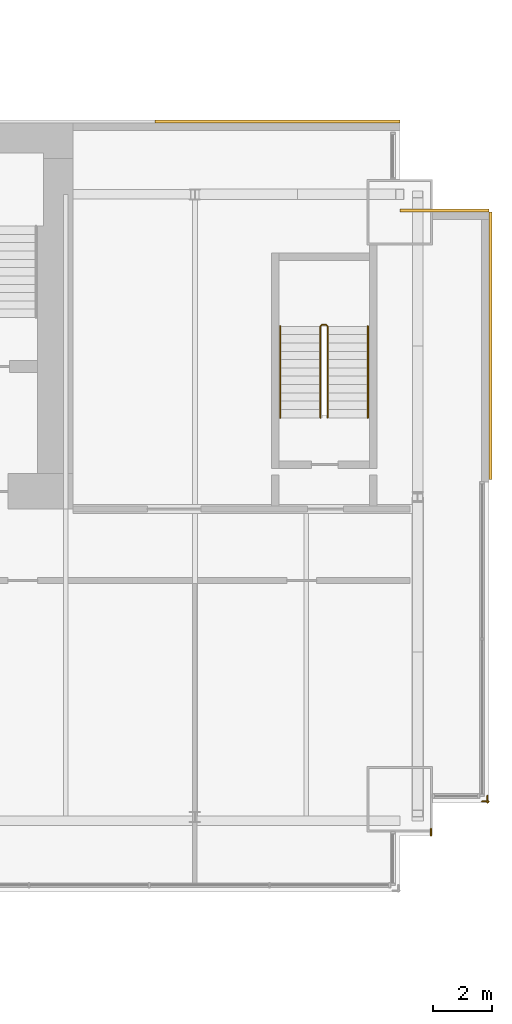
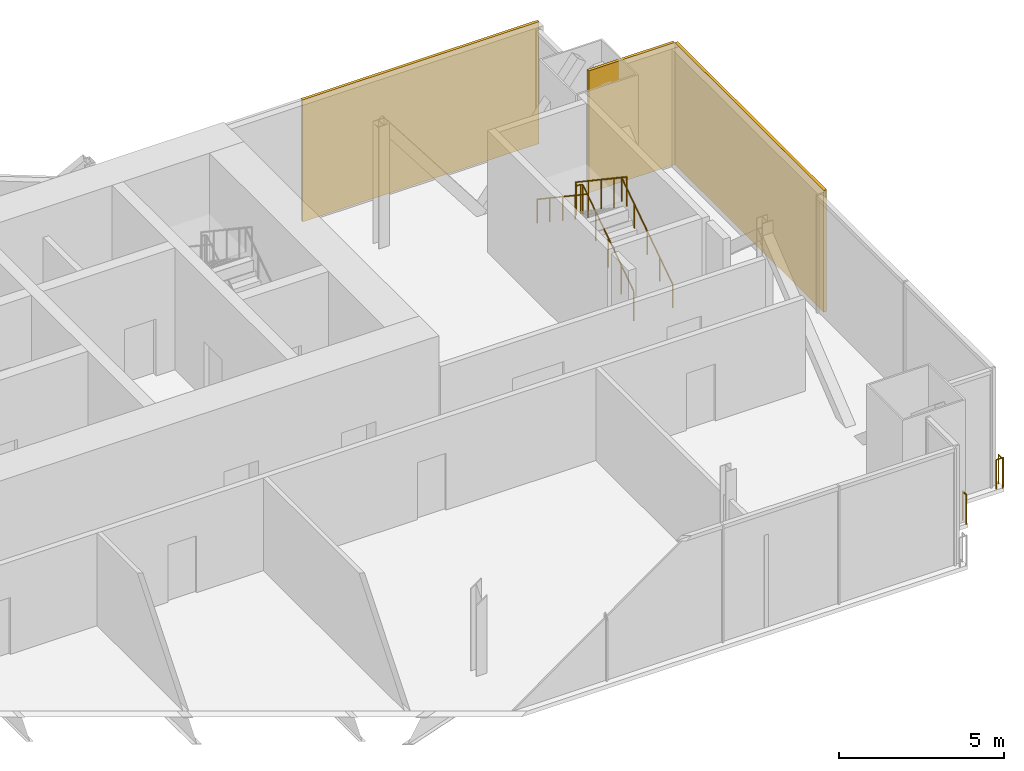
# One storey, part 17 of 17: 5 railings, 3 coverings.
"""IFC4 building model written with IfcOpenShell, lengths in metres."""

from ifc_helpers import new_model, si_unit, direction, frame, origin, origin_2d, place, context, subcontext, project, spatial, rectangle, circle, extrude, material, layer, layer_set, type_object, element, save


model = new_model("IFC4")

# Units and contexts
model_context = context("Model", 3, precision=1e-05, world=origin(), true_north=direction((0.0, 1.0)))
body_context = subcontext(model_context, "Body", "Model", "MODEL_VIEW")
ifc_project = project(units=[si_unit("LENGTHUNIT", "METRE"), si_unit("AREAUNIT", "SQUARE_METRE"), si_unit("VOLUMEUNIT", "CUBIC_METRE"), si_unit("PLANEANGLEUNIT", "RADIAN"), si_unit("MASSUNIT", "GRAM", prefix="KILO")], contexts=[model_context])

# Site, building, storey
site_placement = place(None, origin())
site = spatial("IfcSite", under=ifc_project, at=site_placement, CompositionType="ELEMENT")
building_placement = place(site_placement, origin())
building = spatial("IfcBuilding", under=site, at=building_placement, Name="Bicima Exchange Tower", CompositionType="ELEMENT")
storey_placement = place(building_placement, frame((0.0, 0.0, 320.0)))
storey = spatial("IfcBuildingStorey", under=building, at=storey_placement, Name="L72", CompositionType="ELEMENT", Elevation=320.0)

# Coverings
ifc_material_1 = material(Name="Bronze metal cladding")
ifc_layer_1 = layer(ifc_material_1, 0.004)
ifc_material_2 = material(Name="Ventilated cavity")
ifc_layer_2 = layer(ifc_material_2, 0.06)
ifc_material_3 = material(Name="Galvanised steel rail and mineral wool", Category="steel")
ifc_layer_3 = layer(ifc_material_3, 0.036)
ifc_layer_set = layer_set([ifc_layer_1, ifc_layer_2, ifc_layer_3], Name="Ventilated cavity")
covering_type = type_object("IfcCoveringType", Name="Bronze metal cladding panel 100", PredefinedType="CLADDING", material=ifc_layer_set)
covering_1_placement = place(storey_placement, frame((28.875, 0.050048828125, -0.14990234375), z_axis=(0.0, 0.0, 1.0), x_axis=(-1.0, 0.0, 0.0)))
element("IfcCovering", 1, at=covering_1_placement, inside=storey, type_object=covering_type, Name="Bronze cladding L72 1.1", PredefinedType="CLADDING", context=body_context, shape_type="SweptSolid", body=[
    extrude(rectangle(XDim=8.25, YDim=0.10009765625, at=origin_2d()), origin(), (0.0, 0.0, 1.0), 4.5),
])
covering_2_placement = place(storey_placement, frame((36.050048828125, -7.5, -0.14990234375), z_axis=(0.0, 0.0, 1.0), x_axis=(0.0, 1.0, 0.0)))
element("IfcCovering", 2, at=covering_2_placement, inside=storey, type_object=covering_type, Name="Bronze cladding L72 50.1", PredefinedType="CLADDING", context=body_context, shape_type="SweptSolid", body=[
    extrude(rectangle(XDim=9.0, YDim=0.10009765625, at=origin_2d()), origin(), (0.0, 0.0, 1.0), 4.5),
])
covering_3_placement = place(storey_placement, frame((34.5, -2.949951171875, -0.14990234375), z_axis=(0.0, 0.0, 1.0), x_axis=(-1.0, 0.0, 0.0)))
element("IfcCovering", 3, at=covering_3_placement, inside=storey, type_object=covering_type, Name="Bronze cladding L72 51.1", PredefinedType="CLADDING", context=body_context, shape_type="SweptSolid", body=[
    extrude(rectangle(XDim=3.0, YDim=0.10009765625, at=origin_2d()), origin(), (0.0, 0.0, 1.0), 4.5),
])

# Railings
ifc_material_4 = material(Name="Stainless steel and bonded safety glass", Category="steel")
railing_type_1 = type_object("IfcRailingType", Name="Edge guard 1100", PredefinedType="GUARDRAIL", material=ifc_material_4)
railing_1_placement = place(storey_placement, frame((35.949951171875, -22.64697265625, 0.0)))
element("IfcRailing", 4, at=railing_1_placement, inside=storey, type_object=railing_type_1, Name="Edge guard L72 374", PredefinedType="GUARDRAIL", context=body_context, shape_type="SweptSolid", body=[
    extrude(circle(Radius=0.02392578125, at=origin_2d()), frame((0.0, 0.0, 1.076171875), z_axis=(0.0, -1.0, 0.0), x_axis=(1.0, 0.0, 0.0)), (0.0, 0.0, 1.0), 0.2490234375),
    extrude(circle(Radius=0.02392578125, at=origin_2d()), frame((0.0, -0.2490234375, 1.076171875), z_axis=(0.707106781187, 0.707106781187, 0.0), x_axis=(-0.707106781187, 0.707106781187, 0.0)), (0.0, 0.0, 1.0), 0.07080078125),
    extrude(circle(Radius=0.02392578125, at=origin_2d()), frame((0.050048828125, -0.198974609375, 1.076171875), z_axis=(-1.0, 0.0, 0.0), x_axis=(0.0, -1.0, 0.0)), (0.0, 0.0, 1.0), 0.237060546875),
    extrude(circle(Radius=0.02099609375, at=origin_2d()), origin(), (0.0, 0.0, 1.0), 1.052001953125),
    extrude(circle(Radius=0.02099609375, at=origin_2d()), frame((0.0, -0.2490234375, 0.0)), (0.0, 0.0, 1.0), 1.052001953125),
    extrude(circle(Radius=0.02099609375, at=origin_2d()), frame((0.050048828125, -0.198974609375, 0.0)), (0.0, 0.0, 1.0), 1.052001953125),
    extrude(circle(Radius=0.02099609375, at=origin_2d()), frame((-0.18701171875, -0.198974609375, 0.0)), (0.0, 0.0, 1.0), 1.052001953125),
])
railing_2_placement = place(storey_placement, frame((34.050048828125, -23.77587890625, 0.0)))
element("IfcRailing", 5, at=railing_2_placement, inside=storey, type_object=railing_type_1, Name="Edge guard L72 375", PredefinedType="GUARDRAIL", context=body_context, shape_type="SweptSolid", body=[
    extrude(circle(Radius=0.02392578125, at=origin_2d()), frame((0.0, 0.0, 1.076171875), z_axis=(0.0, -1.0, 0.0), x_axis=(1.0, 0.0, 0.0)), (0.0, 0.0, 1.0), 0.22021484375),
    extrude(circle(Radius=0.02099609375, at=origin_2d()), origin(), (0.0, 0.0, 1.0), 1.052001953125),
    extrude(circle(Radius=0.02099609375, at=origin_2d()), frame((0.0, -0.22021484375, 0.0)), (0.0, 0.0, 1.0), 1.052001953125),
])
ifc_material_5 = material(Name="Stainless steel", Category="steel")
railing_type_2 = type_object("IfcRailingType", Name="Stair guard 1100", PredefinedType="GUARDRAIL", material=ifc_material_5)
railing_3_placement = place(storey_placement, frame((30.574951171875, -9.925048828125, 0.1875)))
element("IfcRailing", 6, at=railing_3_placement, inside=storey, type_object=railing_type_2, Name="L72 ST-EE stair guard 1", PredefinedType="GUARDRAIL", context=body_context, shape_type="SweptSolid", body=[
    extrude(circle(Radius=0.02392578125, at=origin_2d()), frame((0.0, 0.0, 1.076171875), z_axis=(0.0, 0.830913701846, 0.55640131208), x_axis=(-1.0, 0.0, 0.0)), (0.0, 0.0, 1.0), 3.706787109375),
    extrude(circle(Radius=0.02392578125, at=origin_2d()), frame((0.0, 3.080078125, 3.138671875), z_axis=(-0.707106781187, 0.707106781187, 0.0), x_axis=(-0.707106781187, -0.707106781187, 0.0)), (0.0, 0.0, 1.0), 0.07080078125),
    extrude(circle(Radius=0.02392578125, at=origin_2d()), frame((-0.050048828125, 3.130126953125, 3.138671875), z_axis=(-1.0, 0.0, 0.0), x_axis=(0.0, -1.0, 0.0)), (0.0, 0.0, 1.0), 0.14990234375),
    extrude(circle(Radius=0.02392578125, at=origin_2d()), frame((-0.199951171875, 3.130126953125, 3.138671875), z_axis=(-0.249726431254, -0.249726431254, 0.935560483917), x_axis=(0.707106781187, -0.707106781187, 0.0)), (0.0, 0.0, 1.0), 0.200439453125),
    extrude(circle(Radius=0.02392578125, at=origin_2d()), frame((-0.25, 3.080078125, 3.326171875), z_axis=(0.0, -0.830913701846, 0.55640131208), x_axis=(1.0, 0.0, 0.0)), (0.0, 0.0, 1.0), 3.706787109375),
    extrude(circle(Radius=0.02099609375, at=origin_2d()), origin(), (0.0, 0.0, 1.0), 1.052001953125),
    extrude(circle(Radius=0.02099609375, at=origin_2d()), frame((0.0, 0.77001953125, 0.515625)), (0.0, 0.0, 1.0), 1.052001953125),
    extrude(circle(Radius=0.02099609375, at=origin_2d()), frame((0.0, 1.5400390625, 1.03125)), (0.0, 0.0, 1.0), 1.052001953125),
    extrude(circle(Radius=0.02099609375, at=origin_2d()), frame((0.0, 2.31005859375, 1.546875)), (0.0, 0.0, 1.0), 1.052001953125),
    extrude(circle(Radius=0.02099609375, at=origin_2d()), frame((0.0, 3.080078125, 2.0625)), (0.0, 0.0, 1.0), 1.052001953125),
    extrude(circle(Radius=0.02099609375, at=origin_2d()), frame((-0.050048828125, 3.130126953125, 2.0625)), (0.0, 0.0, 1.0), 1.052001953125),
    extrude(circle(Radius=0.02099609375, at=origin_2d()), frame((-0.199951171875, 3.130126953125, 2.0625)), (0.0, 0.0, 1.0), 1.052001953125),
    extrude(circle(Radius=0.02099609375, at=origin_2d()), frame((-0.25, 3.080078125, 2.25)), (0.0, 0.0, 1.0), 1.052001953125),
    extrude(circle(Radius=0.02099609375, at=origin_2d()), frame((-0.25, 2.31005859375, 2.765625)), (0.0, 0.0, 1.0), 1.052001953125),
    extrude(circle(Radius=0.02099609375, at=origin_2d()), frame((-0.25, 1.5400390625, 3.28125)), (0.0, 0.0, 1.0), 1.052001953125),
    extrude(circle(Radius=0.02099609375, at=origin_2d()), frame((-0.25, 0.77001953125, 3.796875)), (0.0, 0.0, 1.0), 1.052001953125),
    extrude(circle(Radius=0.02099609375, at=origin_2d()), frame((-0.25, 0.0, 4.3125)), (0.0, 0.0, 1.0), 1.052001953125),
])
railing_type_3 = type_object("IfcRailingType", Name="Stair handrail 900", PredefinedType="HANDRAIL", material=ifc_material_5)
railing_4_placement = place(storey_placement, frame((31.925048828125, -9.925048828125, 0.1875)))
element("IfcRailing", 7, at=railing_4_placement, inside=storey, type_object=railing_type_3, Name="L72 ST-EE stair handrail 1", PredefinedType="HANDRAIL", context=body_context, shape_type="SweptSolid", body=[
    extrude(circle(Radius=0.02392578125, at=origin_2d()), frame((0.0, 0.0, 0.8759765625), z_axis=(0.0, 0.830913701846, 0.55640131208), x_axis=(-1.0, 0.0, 0.0)), (0.0, 0.0, 1.0), 3.706787109375),
    extrude(circle(Radius=0.02099609375, at=origin_2d()), origin(), (0.0, 0.0, 1.0), 0.851806640625),
    extrude(circle(Radius=0.02099609375, at=origin_2d()), frame((0.0, 0.77001953125, 0.515625)), (0.0, 0.0, 1.0), 0.851806640625),
    extrude(circle(Radius=0.02099609375, at=origin_2d()), frame((0.0, 1.5400390625, 1.03125)), (0.0, 0.0, 1.0), 0.851806640625),
    extrude(circle(Radius=0.02099609375, at=origin_2d()), frame((0.0, 2.31005859375, 1.546875)), (0.0, 0.0, 1.0), 0.851806640625),
    extrude(circle(Radius=0.02099609375, at=origin_2d()), frame((0.0, 3.080078125, 2.0625)), (0.0, 0.0, 1.0), 0.851806640625),
])
railing_5_placement = place(storey_placement, frame((28.97509765625, -6.844970703125, 2.47900390625)))
element("IfcRailing", 8, at=railing_5_placement, inside=storey, type_object=railing_type_3, Name="L72 ST-EE stair handrail 2", PredefinedType="HANDRAIL", context=body_context, shape_type="SweptSolid", body=[
    extrude(circle(Radius=0.02392578125, at=origin_2d()), frame((0.0, 0.0, 0.8759765625), z_axis=(0.0, -0.830913701846, 0.55640131208), x_axis=(1.0, 0.0, 0.0)), (0.0, 0.0, 1.0), 3.706787109375),
    extrude(circle(Radius=0.02099609375, at=origin_2d()), origin(), (0.0, 0.0, 1.0), 0.851806640625),
    extrude(circle(Radius=0.02099609375, at=origin_2d()), frame((0.0, -0.77001953125, 0.515625)), (0.0, 0.0, 1.0), 0.851806640625),
    extrude(circle(Radius=0.02099609375, at=origin_2d()), frame((0.0, -1.5400390625, 1.03125)), (0.0, 0.0, 1.0), 0.851806640625),
    extrude(circle(Radius=0.02099609375, at=origin_2d()), frame((0.0, -2.31005859375, 1.546875)), (0.0, 0.0, 1.0), 0.851806640625),
    extrude(circle(Radius=0.02099609375, at=origin_2d()), frame((0.0, -3.080078125, 2.0625)), (0.0, 0.0, 1.0), 0.851806640625),
])

save(model, "model.ifc")
